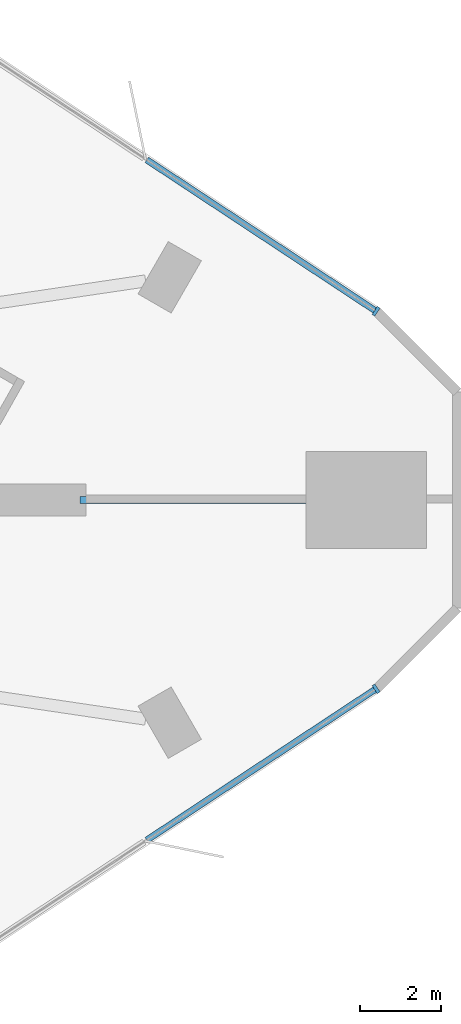
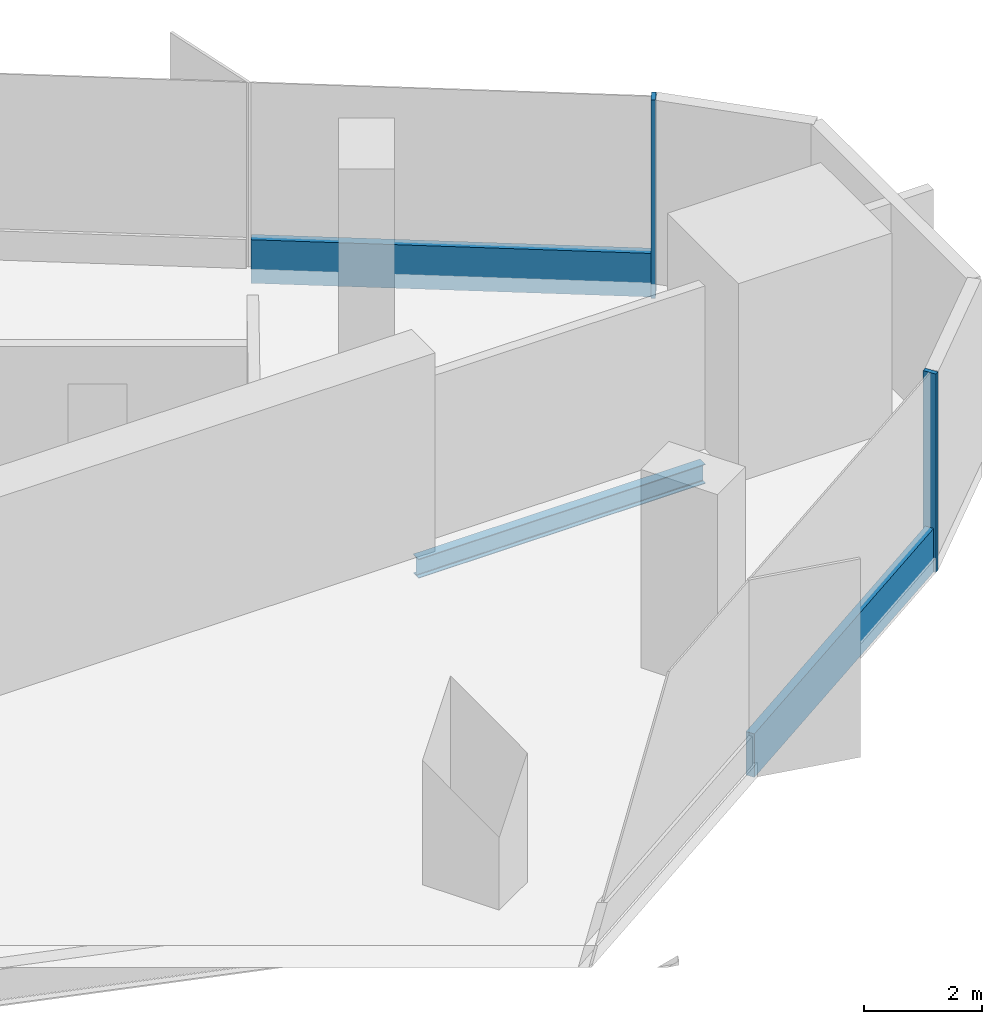
# One storey, part 6 of 14: 4 members, 1 beam, 2 elements without a shape of their own.
"""IFC4 building model written with IfcOpenShell, lengths in metres."""

import ifcopenshell
import ifcopenshell.guid

model = None  # the IFC model being written
_history = None  # IfcOwnerHistory: only IFC2X3 demands one
_inside = {}  # id of a spatial element -> (the spatial element, [elements in it])
_under = {}  # id of a project, library or spatial element -> (it, [spatial elements below it])
_declared = {}  # id of a project -> (the project, [libraries it declares])
_typed = {}  # id of a type object -> (the type object, [elements of that type])
_made_of = {}  # id of a material, layer set ... -> (it, [elements and type objects made of it])


def new_model(schema):
    """Start an empty IFC model of exactly this schema.

    Asked for "IFC4X3", IfcOpenShell would pick the latest addendum, in which some entities
    have other attributes; the version numbers below select the first issue.
    IFC2X3 requires an IfcOwnerHistory on every rooted entity: one is made here for all.
    """
    global model, _history
    if schema == "IFC4X3":
        model = ifcopenshell.file(schema_version=(4, 3, 0, 0))
    else:
        model = ifcopenshell.file(schema=schema)
    _inside.clear()
    _under.clear()
    _declared.clear()
    _typed.clear()
    _made_of.clear()
    _history = None
    if model.schema == "IFC2X3":
        org = make("IfcOrganization", Name="unknown")
        user = make(
            "IfcPersonAndOrganization",
            ThePerson=make("IfcPerson", FamilyName="unknown"),
            TheOrganization=org,
        )
        app = make(
            "IfcApplication",
            ApplicationDeveloper=org,
            Version="unknown",
            ApplicationFullName="unknown",
            ApplicationIdentifier="unknown",
        )
        _history = make(
            "IfcOwnerHistory",
            OwningUser=user,
            OwningApplication=app,
            ChangeAction="ADDED",
            CreationDate=0,
        )
    return model


def make(cls, **values):
    """One entity of the class cls with the attributes given. An attribute that is None is left unset."""
    return model.create_entity(
        cls, **{name: value for name, value in values.items() if value is not None}
    )


def rooted(cls, **values):
    """An entity with a GlobalId (a new one), such as an element, a storey or a relation."""
    return make(cls, GlobalId=ifcopenshell.guid.new(), OwnerHistory=_history, **values)


def si_unit(unit_type, name, prefix=None):
    """IfcSIUnit, for example si_unit("LENGTHUNIT", "METRE", prefix="MILLI")."""
    return make("IfcSIUnit", UnitType=unit_type, Prefix=prefix, Name=name)


def assignment(units):
    """IfcUnitAssignment: the units of a project."""
    return None if units is None else make("IfcUnitAssignment", Units=units)


def point(xyz):
    """IfcCartesianPoint."""
    return None if xyz is None else make("IfcCartesianPoint", Coordinates=xyz)


def direction(xyz):
    """IfcDirection."""
    return None if xyz is None else make("IfcDirection", DirectionRatios=xyz)


def frame(location, z_axis=None, x_axis=None):
    """IfcAxis2Placement3D, a coordinate frame: its origin and axes. An axis left out is left unset."""
    return make(
        "IfcAxis2Placement3D",
        Location=point(location),
        Axis=direction(z_axis),
        RefDirection=direction(x_axis),
    )


def frame_2d(location, x_axis=None):
    """IfcAxis2Placement2D, a coordinate frame in the plane: its origin and x axis."""
    return make(
        "IfcAxis2Placement2D", Location=point(location), RefDirection=direction(x_axis)
    )


def origin():
    """The frame at (0, 0, 0) with its axes left unset."""
    return frame((0.0, 0.0, 0.0))


def origin_2d():
    """The frame at (0, 0) in the plane with its x axis left unset."""
    return frame_2d((0.0, 0.0))


def place(relative_to, where):
    """IfcLocalPlacement: puts the frame where relative to a parent placement (None: the world)."""
    return make(
        "IfcLocalPlacement", PlacementRelTo=relative_to, RelativePlacement=where
    )


def context(
    kind, dimensions, precision=None, world=None, true_north=None, identifier=None
):
    """IfcGeometricRepresentationContext, for example the 3D "Model" context."""
    return make(
        "IfcGeometricRepresentationContext",
        ContextIdentifier=identifier,
        ContextType=kind,
        CoordinateSpaceDimension=dimensions,
        Precision=precision,
        WorldCoordinateSystem=world,
        TrueNorth=true_north,
    )


def subcontext(parent, identifier, kind, view, scale=None):
    """IfcGeometricRepresentationSubContext, for example "Body" below "Model"."""
    return make(
        "IfcGeometricRepresentationSubContext",
        ContextIdentifier=identifier,
        ContextType=kind,
        ParentContext=parent,
        TargetScale=scale,
        TargetView=view,
    )


def project(units=None, contexts=None):
    """IfcProject with its units and contexts."""
    return rooted(
        "IfcProject",
        Name="project",
        RepresentationContexts=contexts,
        UnitsInContext=assignment(units),
    )


def spatial(cls, under=None, at=None, **own):
    """A site, building, storey or space (cls), placed at a placement, below another one or the project."""
    s = rooted(cls, ObjectPlacement=at, **own)
    if under is not None:
        _under.setdefault(under.id(), (under, []))[1].append(s)
    return s


def profile(cls, at=None, kind="AREA", **sizes):
    """A parametric profile (cls). Its sizes go by their IFC names, for example OverallWidth=200.0."""
    return make(cls, ProfileType=kind, Position=at, **sizes)


def rectangle(**sizes):
    """IfcRectangleProfileDef."""
    return profile("IfcRectangleProfileDef", **sizes)


def i_section(**sizes):
    """IfcIShapeProfileDef."""
    return profile("IfcIShapeProfileDef", **sizes)


def extrude(swept, where, along, depth):
    """IfcExtrudedAreaSolid: the profile swept, set in the frame where, extruded along a direction by depth."""
    return make(
        "IfcExtrudedAreaSolid",
        SweptArea=swept,
        Position=where,
        ExtrudedDirection=direction(along),
        Depth=depth,
    )


def shape(context_of_items, identifier, shape_type, items):
    """IfcShapeRepresentation: the items that make up one representation, for example the "Body"."""
    return make(
        "IfcShapeRepresentation",
        ContextOfItems=context_of_items,
        RepresentationIdentifier=identifier,
        RepresentationType=shape_type,
        Items=items,
    )


def material(Name=None, Category=None):
    """IfcMaterial."""
    return make("IfcMaterial", Name=Name, Category=Category)


def material_profile(
    of_material, cross_section, Name=None, Category=None, Priority=None
):
    """IfcMaterialProfile: a cross section and its material."""
    return make(
        "IfcMaterialProfile",
        Name=Name,
        Material=of_material,
        Profile=cross_section,
        Priority=Priority,
        Category=Category,
    )


def profile_set(profiles, Name=None, composite=None):
    """IfcMaterialProfileSet."""
    return make(
        "IfcMaterialProfileSet",
        Name=Name,
        MaterialProfiles=profiles,
        CompositeProfile=composite,
    )


def made_of(thing, what):
    """Note that an element or type object is made of a material, layer set ...; save() writes the relation."""
    if what is not None:
        _made_of.setdefault(what.id(), (what, []))[1].append(thing)
    return thing


def type_object(cls, material=None, **own):
    """A type object (cls), such as IfcWallType, which elements share."""
    return made_of(rooted(cls, **own), material)


def element(
    cls,
    number,
    at=None,
    inside=None,
    cuts=None,
    type_object=None,
    material=None,
    context=None,
    identifier="Body",
    shape_type=None,
    held_by="IfcProductDefinitionShape",
    body=None,
    shapes=None,
    **own,
):
    """One element of the class cls, such as IfcWall. Its Tag is "e" and its number.

    at: its placement. inside: the storey or other place that contains it. cuts: it is an
    opening in that element (IfcRelVoidsElement). A single representation is given by context,
    identifier, shape_type and body (its items); several are given by shapes. held_by: the class
    of the entity that holds the representations. save() writes the other relations.
    """
    e = rooted(cls, Tag="e%d" % number, ObjectPlacement=at, **own)
    if body is not None:
        shapes = [shape(context, identifier, shape_type, body)]
    if shapes is not None:
        e.Representation = make(held_by, Representations=shapes)
    if inside is not None:
        _inside.setdefault(inside.id(), (inside, []))[1].append(e)
    if cuts is not None:
        rooted(
            "IfcRelVoidsElement", RelatingBuildingElement=cuts, RelatedOpeningElement=e
        )
    if type_object is not None:
        _typed.setdefault(type_object.id(), (type_object, []))[1].append(e)
    return made_of(e, material)


def aggregate(whole, parts):
    """IfcRelAggregates: a whole, such as a stair, and the parts it consists of."""
    return rooted("IfcRelAggregates", RelatingObject=whole, RelatedObjects=parts)


def save(model, path):
    """Write the relations noted so far, then the file.

    IfcRelAggregates (storeys below a building ...), IfcRelContainedInSpatialStructure (elements
    in a storey), IfcRelDefinesByType, IfcRelAssociatesMaterial and IfcRelDeclares: one each for
    every whole, place, type object, material and project.
    """
    for whole, parts in _under.values():
        aggregate(whole, parts)
    for where, things in _inside.values():
        rooted(
            "IfcRelContainedInSpatialStructure",
            RelatedElements=things,
            RelatingStructure=where,
        )
    for kind, things in _typed.values():
        rooted("IfcRelDefinesByType", RelatedObjects=things, RelatingType=kind)
    for what, things in _made_of.values():
        rooted("IfcRelAssociatesMaterial", RelatedObjects=things, RelatingMaterial=what)
    for by, libraries in _declared.values():
        rooted("IfcRelDeclares", RelatingContext=by, RelatedDefinitions=libraries)
    model.write(path)


model = new_model("IFC4")

# Units and contexts
model_context = context("Model", 3, precision=1e-05, world=origin(), true_north=direction((0.0, 1.0)))
body_context = subcontext(model_context, "Body", "Model", "MODEL_VIEW")
ifc_project = project(units=[si_unit("LENGTHUNIT", "METRE"), si_unit("AREAUNIT", "SQUARE_METRE"), si_unit("VOLUMEUNIT", "CUBIC_METRE"), si_unit("PLANEANGLEUNIT", "RADIAN"), si_unit("MASSUNIT", "GRAM", prefix="KILO")], contexts=[model_context])

# Site, building, storey
site_placement = place(None, origin())
site = spatial("IfcSite", under=ifc_project, at=site_placement, CompositionType="ELEMENT")
building_placement = place(site_placement, origin())
building = spatial("IfcBuilding", under=site, at=building_placement, Name="Tanit Gate Tower", CompositionType="ELEMENT")
storey_placement = place(building_placement, frame((0.0, 0.0, 45.5)))
storey = spatial("IfcBuildingStorey", under=building, at=storey_placement, Name="L07", CompositionType="ELEMENT", Elevation=45.5)

# Curtain wall, member
ifc_material_1 = material(Name="Aluminium bronze anodised and glass", Category="aluminium")
curtain_wall_type = type_object("IfcCurtainWallType", Name="Curtain wall typical low", PredefinedType="NOTDEFINED", material=ifc_material_1)
curtain_wall_1_placement = place(storey_placement, origin())
curtain_wall_1 = element("IfcCurtainWall", 1, at=curtain_wall_1_placement, inside=storey, type_object=curtain_wall_type, Name="Curtain wall L07 NE1", PredefinedType="NOTDEFINED")
ifc_material_2 = material(Name="Aluminium bronze anodised", Category="aluminium")
ifc_material_profile_1 = material_profile(ifc_material_2, rectangle(XDim=0.239990234375, YDim=0.080078125, at=origin_2d()), Name="80x240 bronze mullion")
ifc_profile_set_1 = profile_set([ifc_material_profile_1], Name="Aluminium bronze anodised")
member_type_1 = type_object("IfcMemberType", Name="Mullion 80x240 typical low", PredefinedType="MULLION", material=ifc_profile_set_1)
member_1_placement = place(storey_placement, frame((42.453857421875, 4.68798828125, -0.300048828125), z_axis=(0.0, 0.0, 1.0), x_axis=(-0.550903155031, -0.834569178545, 0.0)))
member_1 = element("IfcMember", 2, at=member_1_placement, type_object=member_type_1, Name="Mullion L07 NE1.1", PredefinedType="MULLION", context=body_context, shape_type="SweptSolid", body=[
    extrude(rectangle(XDim=0.239990234375, YDim=0.080078125, at=origin_2d()), origin(), (0.0, 0.0, 1.0), 4.10009765625),
])

curtain_wall_2_placement = place(storey_placement, origin())
curtain_wall_2 = element("IfcCurtainWall", 3, at=curtain_wall_2_placement, inside=storey, type_object=curtain_wall_type, Name="Curtain wall L07 SE3", PredefinedType="NOTDEFINED")
member_2_placement = place(storey_placement, frame((42.453857421875, -4.687744140625, -0.300048828125), z_axis=(0.0, 0.0, 1.0), x_axis=(-0.550730158129, 0.834683348898, 0.0)))
member_2 = element("IfcMember", 4, at=member_2_placement, type_object=member_type_1, Name="Mullion L07 SE3.3", PredefinedType="MULLION", context=body_context, shape_type="SweptSolid", body=[
    extrude(rectangle(XDim=0.239990234375, YDim=0.080078125, at=origin_2d()), origin(), (0.0, 0.0, 1.0), 4.10009765625),
])

# Beam
ifc_material_3 = material(Name="Steel S355", Category="steel")
ifc_material_profile_2 = material_profile(ifc_material_3, i_section(OverallWidth=0.179931640625, OverallDepth=0.39990234375, WebThickness=0.008544921875, FlangeThickness=0.013427734375, FilletRadius=0.02099609375, at=origin_2d()), Name="IPE 400")
ifc_profile_set_2 = profile_set([ifc_material_profile_2], Name="Steel S355")
beam_type = type_object("IfcBeamType", Name="RADIAL GIRDER IPE 400 S355", PredefinedType="BEAM", material=ifc_profile_set_2)
beam_placement = place(storey_placement, frame((40.711181640625, 0.0, -0.5), z_axis=(-1.0, 0.0, 0.0), x_axis=(0.0, -1.0, 0.0)))
element("IfcBeam", 5, at=beam_placement, inside=storey, type_object=beam_type, Name="RADIAL GIRDER", PredefinedType="BEAM", context=body_context, shape_type="SweptSolid", body=[
    extrude(i_section(OverallWidth=0.179931640625, OverallDepth=0.39990234375, WebThickness=0.008544921875, FlangeThickness=0.013427734375, FilletRadius=0.02099609375, at=origin_2d()), origin(), (0.0, 0.0, 1.0), 5.607177734375),
])

# Member
ifc_material_4 = material(Name="Aluminium bronze anodised", Category="aluminium")
ifc_material_profile_3 = material_profile(ifc_material_4, rectangle(XDim=0.159912109375, YDim=0.89990234375, at=origin_2d()), Name="160x900 bronze transom")
ifc_profile_set_3 = profile_set([ifc_material_profile_3], Name="Aluminium bronze anodised")
member_type_2 = type_object("IfcMemberType", Name="Transom 160x900 typical low", PredefinedType="USERDEFINED", material=ifc_profile_set_3)
member_3_placement = place(storey_placement, frame((42.42041015625, 4.7099609375, 0.14990234375), z_axis=(-0.834562062149, 0.550913935585, 0.0), x_axis=(-0.550913935585, -0.834562062149, 0.0)))
member_3 = element("IfcMember", 6, at=member_3_placement, type_object=member_type_2, Name="Transom L07 NE1.1", ObjectType="TRANSOM", PredefinedType="USERDEFINED", context=body_context, shape_type="SweptSolid", body=[
    extrude(rectangle(XDim=0.159912109375, YDim=0.89990234375, at=origin_2d()), origin(), (0.0, 0.0, 1.0), 6.78076171875),
])

aggregate(curtain_wall_1, [member_1, member_3])

member_4_placement = place(storey_placement, frame((36.7607421875, -8.4443359375, 0.14990234375), z_axis=(0.834677598781, 0.550738872873, 0.0), x_axis=(-0.550738872873, 0.834677598781, 0.0)))
member_4 = element("IfcMember", 7, at=member_4_placement, type_object=member_type_2, Name="Transom L07 SE3.2", ObjectType="TRANSOM", PredefinedType="USERDEFINED", context=body_context, shape_type="SweptSolid", body=[
    extrude(rectangle(XDim=0.159912109375, YDim=0.89990234375, at=origin_2d()), origin(), (0.0, 0.0, 1.0), 6.78076171875),
])

aggregate(curtain_wall_2, [member_2, member_4])

save(model, "model.ifc")
